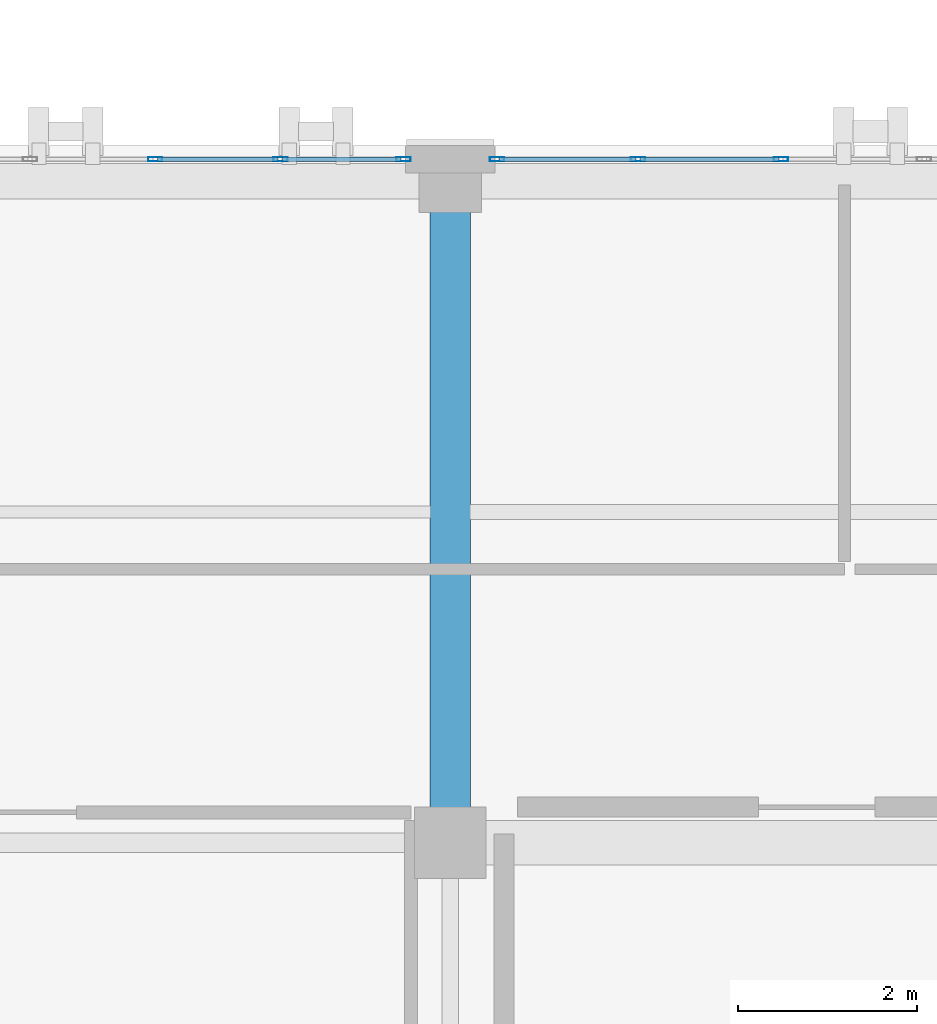
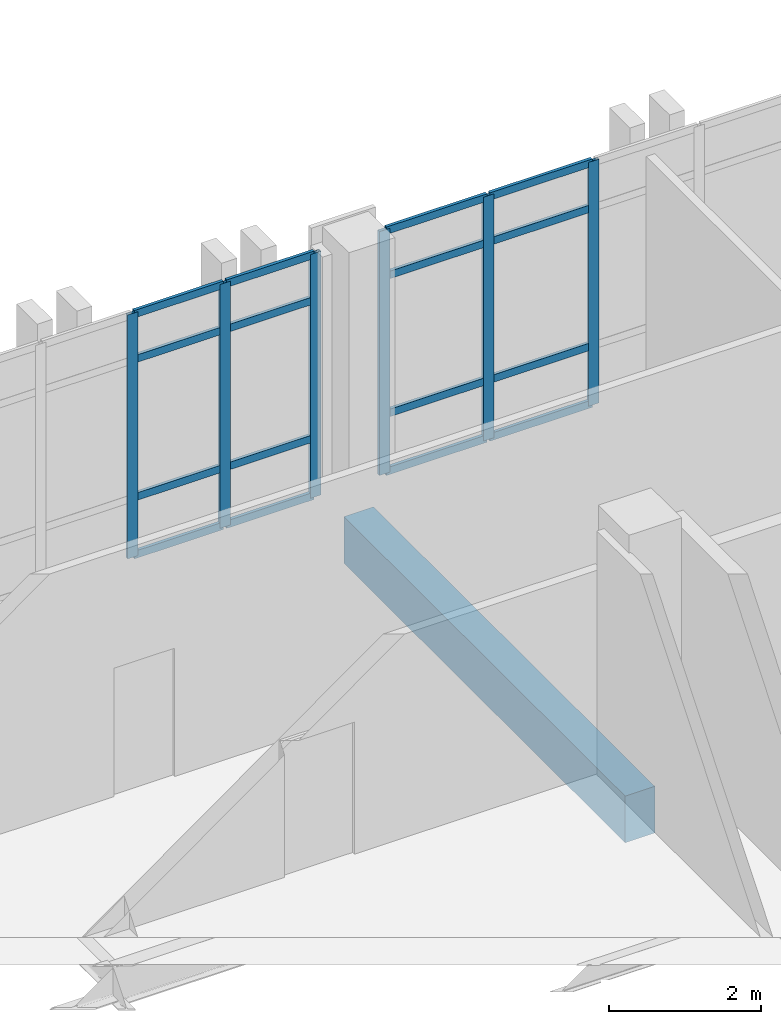
# One storey, part 56 of 193: 22 members, 1 beam, 2 elements without a shape of their own.
"""IFC4 building model written with IfcOpenShell, lengths in metres."""

from ifc_helpers import new_model, si_unit, direction, frame, origin, origin_2d, place, context, subcontext, project, spatial, rectangle, hollow_rectangle, extrude, material, layer, layer_set, material_profile, profile_set, type_object, element, aggregate, save


model = new_model("IFC4")

# Units and contexts
model_context = context("Model", 3, precision=1e-05, world=origin(), true_north=direction((0.0, 1.0)))
body_context = subcontext(model_context, "Body", "Model", "MODEL_VIEW")
ifc_project = project(units=[si_unit("LENGTHUNIT", "METRE"), si_unit("AREAUNIT", "SQUARE_METRE"), si_unit("VOLUMEUNIT", "CUBIC_METRE"), si_unit("PLANEANGLEUNIT", "RADIAN"), si_unit("MASSUNIT", "GRAM", prefix="KILO")], contexts=[model_context])

# Site, building, storey
site_placement = place(None, origin())
site = spatial("IfcSite", under=ifc_project, at=site_placement, CompositionType="ELEMENT")
building_placement = place(site_placement, origin())
building = spatial("IfcBuilding", under=site, at=building_placement, Name="Qalavern Law Courts", CompositionType="ELEMENT")
storey_placement = place(building_placement, frame((0.0, 0.0, 10.199951171875)))
storey = spatial("IfcBuildingStorey", under=building, at=storey_placement, Name="L02", CompositionType="ELEMENT", Elevation=10.199951171875)

# Curtain wall, members
ifc_material_1 = material(Name="Anodised aluminium and insulated glazing", Category="aluminium")
ifc_layer = layer(ifc_material_1, 0.172119140625)
ifc_layer_set = layer_set([ifc_layer], Name="Anodised aluminium and insulated glazing")
curtain_wall_type = type_object("IfcCurtainWallType", Name="ENV-CW-COURT", PredefinedType="USERDEFINED", material=ifc_layer_set)
curtain_wall_1_placement = place(storey_placement, origin())
curtain_wall_1 = element("IfcCurtainWall", 1, at=curtain_wall_1_placement, inside=storey, type_object=curtain_wall_type, Name="V6 unitised curtain wall L02 north 6", ObjectType="UNITISED CURTAIN WALL", PredefinedType="USERDEFINED")
ifc_material_2 = material(Name="Anodised aluminium", Category="aluminium")
ifc_material_profile_1 = material_profile(ifc_material_2, hollow_rectangle(XDim=0.048095703125, YDim=0.159912109375, WallThickness=0.00390625, at=origin_2d()), Name="ALU MULLION 48x160")
ifc_profile_set_1 = profile_set([ifc_material_profile_1], Name="Anodised aluminium")
member_type_1 = type_object("IfcMemberType", Name="ENV-CWM-48x160", PredefinedType="MULLION", material=ifc_profile_set_1)
member_1_placement = place(storey_placement, frame((121.5, 22.445068359375, 0.0), z_axis=(0.0, 0.0, 1.0), x_axis=(0.0, -1.0, 0.0)))
member_1 = element("IfcMember", 2, at=member_1_placement, type_object=member_type_1, Name="CW-03 mullion 4", PredefinedType="MULLION", context=body_context, shape_type="SweptSolid", body=[
    extrude(hollow_rectangle(XDim=0.048095703125, YDim=0.159912109375, WallThickness=0.00390625, at=origin_2d()), origin(), (0.0, 0.0, 1.0), 3.9150390625),
])
member_2_placement = place(storey_placement, frame((119.89990234375, 22.445068359375, 0.0), z_axis=(0.0, 0.0, 1.0), x_axis=(0.0, -1.0, 0.0)))
member_2 = element("IfcMember", 3, at=member_2_placement, type_object=member_type_1, Name="CW-03 mullion 5", PredefinedType="MULLION", context=body_context, shape_type="SweptSolid", body=[
    extrude(hollow_rectangle(XDim=0.048095703125, YDim=0.159912109375, WallThickness=0.00390625, at=origin_2d()), origin(), (0.0, 0.0, 1.0), 3.9150390625),
])
member_3_placement = place(storey_placement, frame((118.323974609375, 22.445068359375, 0.0), z_axis=(0.0, 0.0, 1.0), x_axis=(0.0, -1.0, 0.0)))
member_3 = element("IfcMember", 4, at=member_3_placement, type_object=member_type_1, Name="CW-03 mullion 6", PredefinedType="MULLION", context=body_context, shape_type="SweptSolid", body=[
    extrude(hollow_rectangle(XDim=0.048095703125, YDim=0.159912109375, WallThickness=0.00390625, at=origin_2d()), origin(), (0.0, 0.0, 1.0), 3.9150390625),
])

curtain_wall_2_placement = place(storey_placement, origin())
curtain_wall_2 = element("IfcCurtainWall", 5, at=curtain_wall_2_placement, inside=storey, type_object=curtain_wall_type, Name="V6 unitised curtain wall L02 north 7", ObjectType="UNITISED CURTAIN WALL", PredefinedType="USERDEFINED")
member_4_placement = place(storey_placement, frame((117.27587890625, 22.445068359375, 0.0), z_axis=(0.0, 0.0, 1.0), x_axis=(0.0, -1.0, 0.0)))
member_4 = element("IfcMember", 6, at=member_4_placement, type_object=member_type_1, Name="CW-03 mullion 1", PredefinedType="MULLION", context=body_context, shape_type="SweptSolid", body=[
    extrude(hollow_rectangle(XDim=0.048095703125, YDim=0.159912109375, WallThickness=0.00390625, at=origin_2d()), origin(), (0.0, 0.0, 1.0), 3.9150390625),
])
member_5_placement = place(storey_placement, frame((115.89990234375, 22.445068359375, 0.0), z_axis=(0.0, 0.0, 1.0), x_axis=(0.0, -1.0, 0.0)))
member_5 = element("IfcMember", 7, at=member_5_placement, type_object=member_type_1, Name="CW-03 mullion 2", PredefinedType="MULLION", context=body_context, shape_type="SweptSolid", body=[
    extrude(hollow_rectangle(XDim=0.048095703125, YDim=0.159912109375, WallThickness=0.00390625, at=origin_2d()), origin(), (0.0, 0.0, 1.0), 3.9150390625),
])
member_6_placement = place(storey_placement, frame((114.5, 22.445068359375, 0.0), z_axis=(0.0, 0.0, 1.0), x_axis=(0.0, -1.0, 0.0)))
member_6 = element("IfcMember", 8, at=member_6_placement, type_object=member_type_1, Name="CW-03 mullion 3", PredefinedType="MULLION", context=body_context, shape_type="SweptSolid", body=[
    extrude(hollow_rectangle(XDim=0.048095703125, YDim=0.159912109375, WallThickness=0.00390625, at=origin_2d()), origin(), (0.0, 0.0, 1.0), 3.9150390625),
])

# Member
ifc_material_profile_2 = material_profile(ifc_material_2, hollow_rectangle(XDim=0.048095703125, YDim=0.1201171875, WallThickness=0.00390625, at=origin_2d()), Name="ALU TRANSOM 48x120")
ifc_profile_set_2 = profile_set([ifc_material_profile_2], Name="Anodised aluminium")
member_type_2 = type_object("IfcMemberType", Name="ENV-CWT-48x120", PredefinedType="USERDEFINED", material=ifc_profile_set_2)
member_7_placement = place(storey_placement, frame((121.47607421875, 22.445068359375, 0.024169921875), z_axis=(-1.0, 0.0, 0.0), x_axis=(0.0, -1.0, 0.0)))
member_7 = element("IfcMember", 9, at=member_7_placement, type_object=member_type_2, Name="CW-03 transom 4.1", ObjectType="TRANSOM", PredefinedType="USERDEFINED", context=body_context, shape_type="SweptSolid", body=[
    extrude(hollow_rectangle(XDim=0.048095703125, YDim=0.1201171875, WallThickness=0.00390625, at=origin_2d()), origin(), (0.0, 0.0, 1.0), 1.552001953125),
])

member_8_placement = place(storey_placement, frame((121.47607421875, 22.445068359375, 0.949951171875), z_axis=(-1.0, 0.0, 0.0), x_axis=(0.0, -1.0, 0.0)))
member_8 = element("IfcMember", 10, at=member_8_placement, type_object=member_type_2, Name="CW-03 transom 4.2", ObjectType="TRANSOM", PredefinedType="USERDEFINED", context=body_context, shape_type="SweptSolid", body=[
    extrude(hollow_rectangle(XDim=0.048095703125, YDim=0.1201171875, WallThickness=0.00390625, at=origin_2d()), origin(), (0.0, 0.0, 1.0), 1.552001953125),
])

member_9_placement = place(storey_placement, frame((121.47607421875, 22.445068359375, 3.1650390625), z_axis=(-1.0, 0.0, 0.0), x_axis=(0.0, -1.0, 0.0)))
member_9 = element("IfcMember", 11, at=member_9_placement, type_object=member_type_2, Name="CW-03 transom 4.3", ObjectType="TRANSOM", PredefinedType="USERDEFINED", context=body_context, shape_type="SweptSolid", body=[
    extrude(hollow_rectangle(XDim=0.048095703125, YDim=0.1201171875, WallThickness=0.00390625, at=origin_2d()), origin(), (0.0, 0.0, 1.0), 1.552001953125),
])

member_10_placement = place(storey_placement, frame((121.47607421875, 22.445068359375, 3.89111328125), z_axis=(-1.0, 0.0, 0.0), x_axis=(0.0, -1.0, 0.0)))
member_10 = element("IfcMember", 12, at=member_10_placement, type_object=member_type_2, Name="CW-03 transom 4.4", ObjectType="TRANSOM", PredefinedType="USERDEFINED", context=body_context, shape_type="SweptSolid", body=[
    extrude(hollow_rectangle(XDim=0.048095703125, YDim=0.1201171875, WallThickness=0.00390625, at=origin_2d()), origin(), (0.0, 0.0, 1.0), 1.552001953125),
])

member_11_placement = place(storey_placement, frame((119.8759765625, 22.445068359375, 0.024169921875), z_axis=(-1.0, 0.0, 0.0), x_axis=(0.0, -1.0, 0.0)))
member_11 = element("IfcMember", 13, at=member_11_placement, type_object=member_type_2, Name="CW-03 transom 5.1", ObjectType="TRANSOM", PredefinedType="USERDEFINED", context=body_context, shape_type="SweptSolid", body=[
    extrude(hollow_rectangle(XDim=0.048095703125, YDim=0.1201171875, WallThickness=0.00390625, at=origin_2d()), origin(), (0.0, 0.0, 1.0), 1.528076171875),
])

member_12_placement = place(storey_placement, frame((119.8759765625, 22.445068359375, 0.949951171875), z_axis=(-1.0, 0.0, 0.0), x_axis=(0.0, -1.0, 0.0)))
member_12 = element("IfcMember", 14, at=member_12_placement, type_object=member_type_2, Name="CW-03 transom 5.2", ObjectType="TRANSOM", PredefinedType="USERDEFINED", context=body_context, shape_type="SweptSolid", body=[
    extrude(hollow_rectangle(XDim=0.048095703125, YDim=0.1201171875, WallThickness=0.00390625, at=origin_2d()), origin(), (0.0, 0.0, 1.0), 1.528076171875),
])

member_13_placement = place(storey_placement, frame((119.8759765625, 22.445068359375, 3.1650390625), z_axis=(-1.0, 0.0, 0.0), x_axis=(0.0, -1.0, 0.0)))
member_13 = element("IfcMember", 15, at=member_13_placement, type_object=member_type_2, Name="CW-03 transom 5.3", ObjectType="TRANSOM", PredefinedType="USERDEFINED", context=body_context, shape_type="SweptSolid", body=[
    extrude(hollow_rectangle(XDim=0.048095703125, YDim=0.1201171875, WallThickness=0.00390625, at=origin_2d()), origin(), (0.0, 0.0, 1.0), 1.528076171875),
])

member_14_placement = place(storey_placement, frame((119.8759765625, 22.445068359375, 3.89111328125), z_axis=(-1.0, 0.0, 0.0), x_axis=(0.0, -1.0, 0.0)))
member_14 = element("IfcMember", 16, at=member_14_placement, type_object=member_type_2, Name="CW-03 transom 5.4", ObjectType="TRANSOM", PredefinedType="USERDEFINED", context=body_context, shape_type="SweptSolid", body=[
    extrude(hollow_rectangle(XDim=0.048095703125, YDim=0.1201171875, WallThickness=0.00390625, at=origin_2d()), origin(), (0.0, 0.0, 1.0), 1.528076171875),
])

aggregate(curtain_wall_1, [member_1, member_2, member_3, member_7, member_8, member_9, member_10, member_11, member_12, member_13, member_14])

member_15_placement = place(storey_placement, frame((117.251953125, 22.445068359375, 0.024169921875), z_axis=(-1.0, 0.0, 0.0), x_axis=(0.0, -1.0, 0.0)))
member_15 = element("IfcMember", 17, at=member_15_placement, type_object=member_type_2, Name="CW-03 transom 1.1", ObjectType="TRANSOM", PredefinedType="USERDEFINED", context=body_context, shape_type="SweptSolid", body=[
    extrude(hollow_rectangle(XDim=0.048095703125, YDim=0.1201171875, WallThickness=0.00390625, at=origin_2d()), origin(), (0.0, 0.0, 1.0), 1.327880859375),
])

member_16_placement = place(storey_placement, frame((117.251953125, 22.445068359375, 0.949951171875), z_axis=(-1.0, 0.0, 0.0), x_axis=(0.0, -1.0, 0.0)))
member_16 = element("IfcMember", 18, at=member_16_placement, type_object=member_type_2, Name="CW-03 transom 1.2", ObjectType="TRANSOM", PredefinedType="USERDEFINED", context=body_context, shape_type="SweptSolid", body=[
    extrude(hollow_rectangle(XDim=0.048095703125, YDim=0.1201171875, WallThickness=0.00390625, at=origin_2d()), origin(), (0.0, 0.0, 1.0), 1.327880859375),
])

member_17_placement = place(storey_placement, frame((117.251953125, 22.445068359375, 3.1650390625), z_axis=(-1.0, 0.0, 0.0), x_axis=(0.0, -1.0, 0.0)))
member_17 = element("IfcMember", 19, at=member_17_placement, type_object=member_type_2, Name="CW-03 transom 1.3", ObjectType="TRANSOM", PredefinedType="USERDEFINED", context=body_context, shape_type="SweptSolid", body=[
    extrude(hollow_rectangle(XDim=0.048095703125, YDim=0.1201171875, WallThickness=0.00390625, at=origin_2d()), origin(), (0.0, 0.0, 1.0), 1.327880859375),
])

member_18_placement = place(storey_placement, frame((117.251953125, 22.445068359375, 3.89111328125), z_axis=(-1.0, 0.0, 0.0), x_axis=(0.0, -1.0, 0.0)))
member_18 = element("IfcMember", 20, at=member_18_placement, type_object=member_type_2, Name="CW-03 transom 1.4", ObjectType="TRANSOM", PredefinedType="USERDEFINED", context=body_context, shape_type="SweptSolid", body=[
    extrude(hollow_rectangle(XDim=0.048095703125, YDim=0.1201171875, WallThickness=0.00390625, at=origin_2d()), origin(), (0.0, 0.0, 1.0), 1.327880859375),
])

member_19_placement = place(storey_placement, frame((115.8759765625, 22.445068359375, 0.024169921875), z_axis=(-1.0, 0.0, 0.0), x_axis=(0.0, -1.0, 0.0)))
member_19 = element("IfcMember", 21, at=member_19_placement, type_object=member_type_2, Name="CW-03 transom 2.1", ObjectType="TRANSOM", PredefinedType="USERDEFINED", context=body_context, shape_type="SweptSolid", body=[
    extrude(hollow_rectangle(XDim=0.048095703125, YDim=0.1201171875, WallThickness=0.00390625, at=origin_2d()), origin(), (0.0, 0.0, 1.0), 1.35205078125),
])

member_20_placement = place(storey_placement, frame((115.8759765625, 22.445068359375, 0.949951171875), z_axis=(-1.0, 0.0, 0.0), x_axis=(0.0, -1.0, 0.0)))
member_20 = element("IfcMember", 22, at=member_20_placement, type_object=member_type_2, Name="CW-03 transom 2.2", ObjectType="TRANSOM", PredefinedType="USERDEFINED", context=body_context, shape_type="SweptSolid", body=[
    extrude(hollow_rectangle(XDim=0.048095703125, YDim=0.1201171875, WallThickness=0.00390625, at=origin_2d()), origin(), (0.0, 0.0, 1.0), 1.35205078125),
])

member_21_placement = place(storey_placement, frame((115.8759765625, 22.445068359375, 3.1650390625), z_axis=(-1.0, 0.0, 0.0), x_axis=(0.0, -1.0, 0.0)))
member_21 = element("IfcMember", 23, at=member_21_placement, type_object=member_type_2, Name="CW-03 transom 2.3", ObjectType="TRANSOM", PredefinedType="USERDEFINED", context=body_context, shape_type="SweptSolid", body=[
    extrude(hollow_rectangle(XDim=0.048095703125, YDim=0.1201171875, WallThickness=0.00390625, at=origin_2d()), origin(), (0.0, 0.0, 1.0), 1.35205078125),
])

member_22_placement = place(storey_placement, frame((115.8759765625, 22.445068359375, 3.89111328125), z_axis=(-1.0, 0.0, 0.0), x_axis=(0.0, -1.0, 0.0)))
member_22 = element("IfcMember", 24, at=member_22_placement, type_object=member_type_2, Name="CW-03 transom 2.4", ObjectType="TRANSOM", PredefinedType="USERDEFINED", context=body_context, shape_type="SweptSolid", body=[
    extrude(hollow_rectangle(XDim=0.048095703125, YDim=0.1201171875, WallThickness=0.00390625, at=origin_2d()), origin(), (0.0, 0.0, 1.0), 1.35205078125),
])

aggregate(curtain_wall_2, [member_4, member_5, member_6, member_15, member_16, member_17, member_18, member_19, member_20, member_21, member_22])

# Beam
ifc_material_3 = material(Name="Concrete C40/50", Category="concrete")
ifc_material_profile_3 = material_profile(ifc_material_3, rectangle(XDim=0.449951171875, YDim=0.75, at=origin_2d()), Name="RC 450x750")
ifc_profile_set_3 = profile_set([ifc_material_profile_3], Name="Concrete C40/50")
beam_type = type_object("IfcBeamType", Name="STR-BM-RC450x750", PredefinedType="BEAM", material=ifc_profile_set_3)
beam_placement = place(storey_placement, frame((117.800048828125, 14.800048828125, -0.6650390625), z_axis=(0.0, 1.0, 0.0), x_axis=(-1.0, 0.0, 0.0)))
element("IfcBeam", 25, at=beam_placement, inside=storey, type_object=beam_type, Name="V6 Y-beam 3-3 L02", PredefinedType="BEAM", context=body_context, shape_type="SweptSolid", body=[
    extrude(rectangle(XDim=0.449951171875, YDim=0.75, at=origin_2d()), origin(), (0.0, 0.0, 1.0), 7.39990234375),
])

save(model, "model.ifc")
